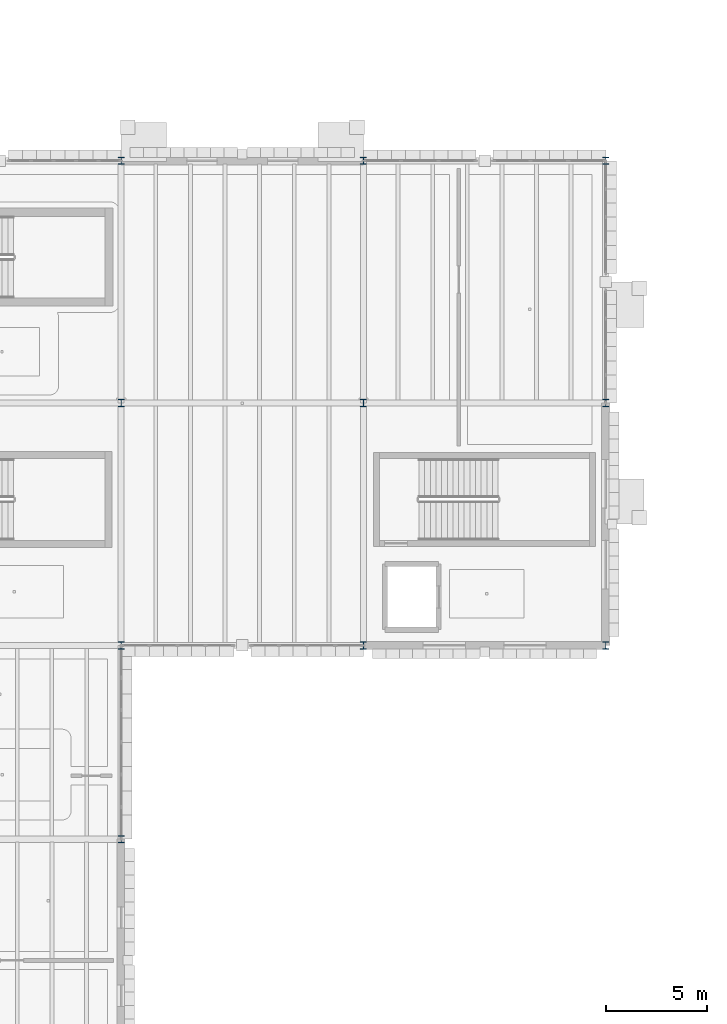
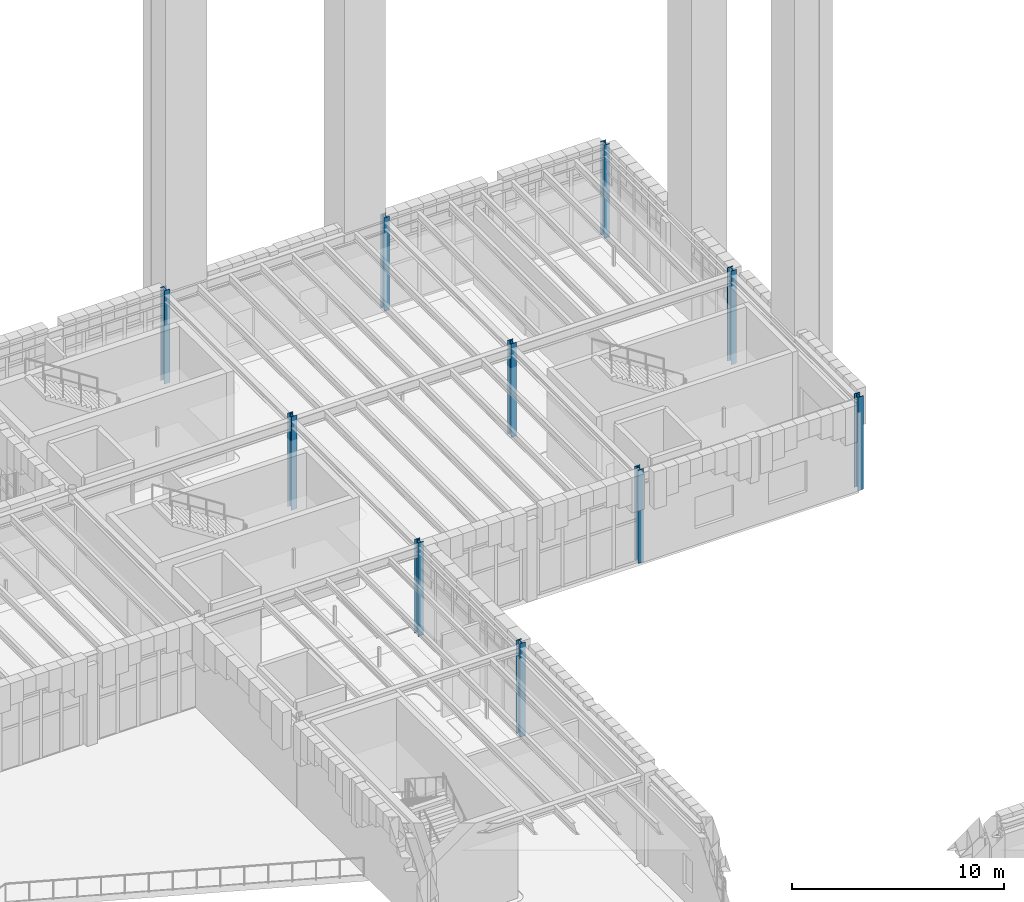
# One storey, part 13 of 103: 10 columns.
"""IFC4 building model written with IfcOpenShell, lengths in metres."""

from ifc_helpers import new_model, si_unit, direction, frame, origin, origin_2d, place, context, subcontext, project, spatial, i_section, extrude, material, material_profile, profile_set, type_object, element, save


model = new_model("IFC4")

# Units and contexts
model_context = context("Model", 3, precision=1e-05, world=origin(), true_north=direction((0.0, 1.0)))
body_context = subcontext(model_context, "Body", "Model", "MODEL_VIEW")
ifc_project = project(units=[si_unit("LENGTHUNIT", "METRE"), si_unit("AREAUNIT", "SQUARE_METRE"), si_unit("VOLUMEUNIT", "CUBIC_METRE"), si_unit("PLANEANGLEUNIT", "RADIAN"), si_unit("MASSUNIT", "GRAM", prefix="KILO")], contexts=[model_context])

# Site, building, storey
site_placement = place(None, origin())
site = spatial("IfcSite", under=ifc_project, at=site_placement, CompositionType="ELEMENT")
building_placement = place(site_placement, origin())
building = spatial("IfcBuilding", under=site, at=building_placement, Name="Zlatogorsky Bluff Art Gallery", CompositionType="ELEMENT")
storey_placement = place(building_placement, origin())
storey = spatial("IfcBuildingStorey", under=building, at=storey_placement, Name="L00", CompositionType="ELEMENT", Elevation=0.0)

# Columns
ifc_material = material(Name="Steel S355", Category="steel")
ifc_material_profile = material_profile(ifc_material, i_section(OverallWidth=0.300048828125, OverallDepth=0.360107421875, WebThickness=0.012451171875, FlangeThickness=0.0224609375, FilletRadius=0.027099609375, at=origin_2d()), Name="HEB 360")
ifc_profile_set = profile_set([ifc_material_profile], Name="Steel S355")
column_type = type_object("IfcColumnType", Name="Column CL-05 HEB 360", PredefinedType="COLUMN", material=ifc_profile_set)
for number, where, z_axis, x_axis, name in (
    (1, (132.0, 74.39990234375, 0.0), (0.0, 0.0, 1.0), (1.0, 0.0, 0.0), "Column CL-05 L00 M8"),
    (2, (132.0, 84.0, 0.0), (0.0, 0.0, 1.0), (1.0, 0.0, 0.0), "Column CL-05 L00 M9"),
    (3, (132.0, 96.0, 0.0), (0.0, 0.0, 1.0), (1.0, 0.0, 0.0), "Column CL-05 L00 M10"),
    (4, (132.0, 108.0, 0.0), (0.0, 0.0, 1.0), (1.0, 0.0, 0.0), "Column CL-05 L00 M11"),
    (5, (144.0, 84.0, 0.0), (0.0, 0.0, 1.0), (1.0, 0.0, 0.0), "Column CL-05 L00 N9"),
    (6, (144.0, 96.0, 0.0), (0.0, 0.0, 1.0), (1.0, 0.0, 0.0), "Column CL-05 L00 N10"),
    (7, (144.0, 108.0, 0.0), (0.0, 0.0, 1.0), (1.0, 0.0, 0.0), "Column CL-05 L00 N11"),
    (8, (156.0, 84.0, 0.0), (0.0, 0.0, 1.0), (1.0, 0.0, 0.0), "Column CL-05 L00 P9"),
    (9, (156.0, 96.0, 0.0), (0.0, 0.0, 1.0), (1.0, 0.0, 0.0), "Column CL-05 L00 P10"),
    (10, (156.0, 108.0, 0.0), (0.0, 0.0, 1.0), (1.0, 0.0, 0.0), "Column CL-05 L00 P11"),
):
    element("IfcColumn", number, at=place(storey_placement, frame(where, z_axis=z_axis, x_axis=x_axis)), inside=storey, type_object=column_type, Name=name, PredefinedType="COLUMN", context=body_context, shape_type="SweptSolid", body=[
        extrude(i_section(OverallWidth=0.300048828125, OverallDepth=0.360107421875, WebThickness=0.012451171875, FlangeThickness=0.0224609375, FilletRadius=0.027099609375, at=origin_2d()), origin(), (0.0, 0.0, 1.0), 5.39990234375),
    ])

save(model, "model.ifc")
